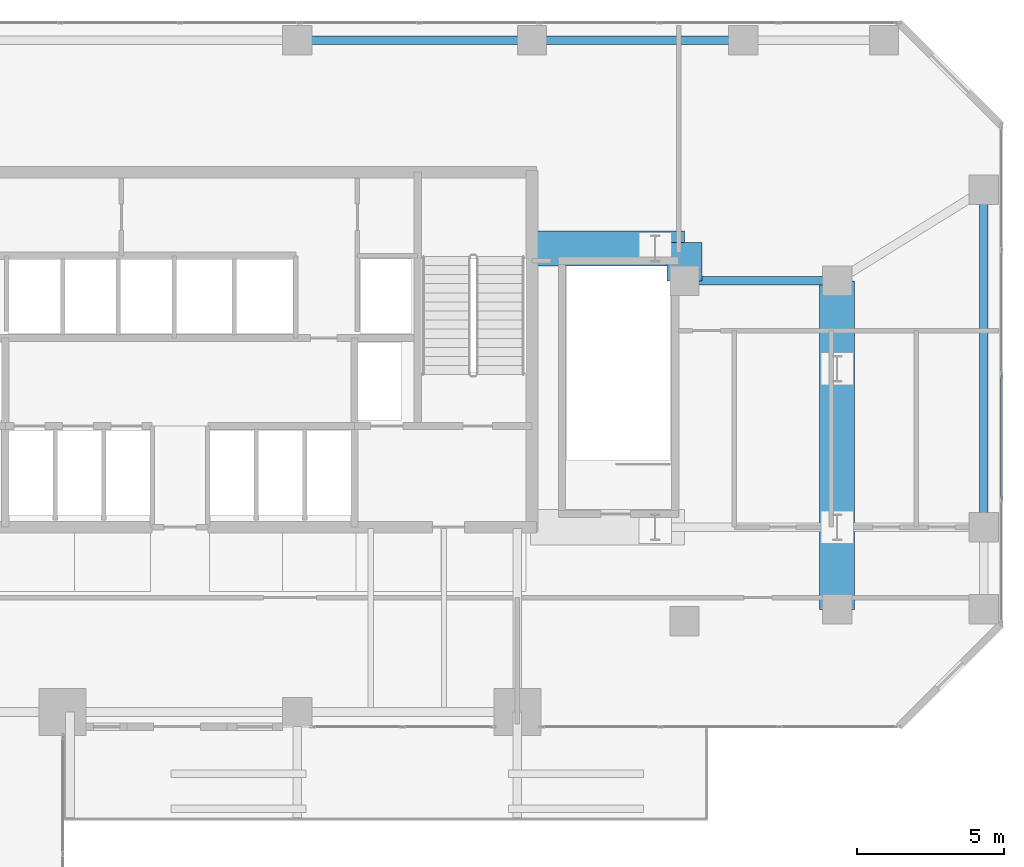
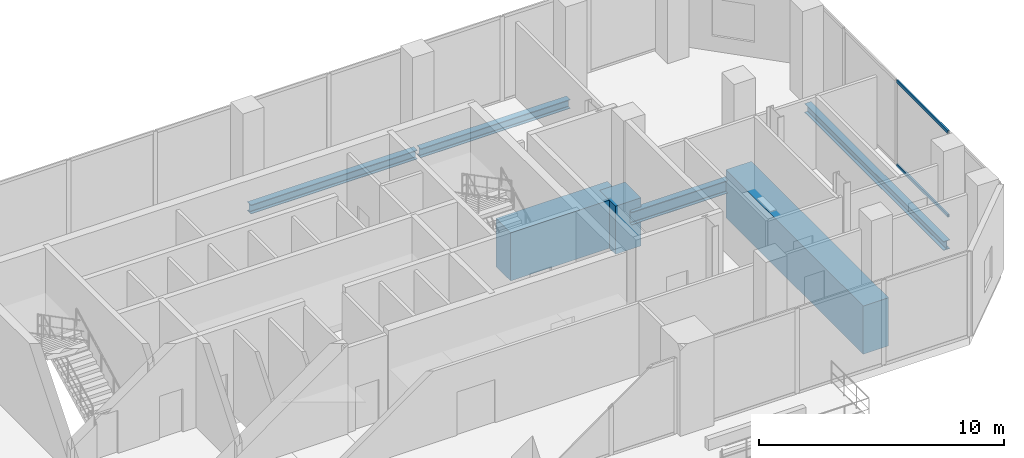
# One storey, part 17 of 24: 7 beams, 2 members, 1 element without a shape of its own.
"""IFC4 building model written with IfcOpenShell, lengths in metres."""

from ifc_helpers import new_model, si_unit, direction, frame, origin, origin_2d, place, context, subcontext, project, spatial, rectangle, hollow_rectangle, i_section, extrude, material, layer, layer_set, material_profile, profile_set, type_object, element, aggregate, save


model = new_model("IFC4")

# Units and contexts
model_context = context("Model", 3, precision=1e-05, world=origin(), true_north=direction((0.0, 1.0)))
body_context = subcontext(model_context, "Body", "Model", "MODEL_VIEW")
ifc_project = project(units=[si_unit("LENGTHUNIT", "METRE"), si_unit("AREAUNIT", "SQUARE_METRE"), si_unit("VOLUMEUNIT", "CUBIC_METRE"), si_unit("PLANEANGLEUNIT", "RADIAN"), si_unit("MASSUNIT", "GRAM", prefix="KILO")], contexts=[model_context])

# Site, building, storey
site_placement = place(None, origin())
site = spatial("IfcSite", under=ifc_project, at=site_placement, CompositionType="ELEMENT")
building_placement = place(site_placement, origin())
building = spatial("IfcBuilding", under=site, at=building_placement, Name="Catumbela Crestline Tower", CompositionType="ELEMENT")
storey_placement = place(building_placement, frame((0.0, 0.0, 21.3)))
storey = spatial("IfcBuildingStorey", under=building, at=storey_placement, Name="L04", CompositionType="ELEMENT", Elevation=21.3)

# Beams
ifc_material_1 = material(Name="Structural steel S355J2", Category="steel")
ifc_material_profile_1 = material_profile(ifc_material_1, i_section(OverallWidth=0.3, OverallDepth=0.64, WebThickness=0.0135, FlangeThickness=0.026, FilletRadius=0.027, at=origin_2d()), Name="HEA 650")
ifc_profile_set_1 = profile_set([ifc_material_profile_1], Name="Structural steel S355J2")
beam_type_1 = type_object("IfcBeamType", Name="BG-HEA650", PredefinedType="BEAM", material=ifc_profile_set_1)
beam_1_placement = place(storey_placement, frame((45.28, 39.2, -0.77), z_axis=(1.0, 0.0, 0.0), x_axis=(0.0, 1.0, 0.0)))
element("IfcBeam", 1, at=beam_1_placement, inside=storey, type_object=beam_type_1, Name="L04 Beam BM-L04-N16", PredefinedType="BEAM", context=body_context, shape_type="SweptSolid", body=[
    extrude(i_section(OverallWidth=0.3, OverallDepth=0.64, WebThickness=0.0135, FlangeThickness=0.026, FilletRadius=0.027, at=origin_2d()), origin(), (0.0, 0.0, 1.0), 5.04),
])
ifc_material_2 = material(Name="Concrete C60/75", Category="concrete")
ifc_material_profile_2 = material_profile(ifc_material_2, rectangle(XDim=1.2, YDim=2.4, at=origin_2d()), Name="RC 1200x2400")
ifc_profile_set_2 = profile_set([ifc_material_profile_2], Name="Concrete C60/75")
beam_type_2 = type_object("IfcBeamType", Name="TG-2400", PredefinedType="BEAM", material=ifc_profile_set_2)
beam_2_placement = place(storey_placement, frame((39.95, 40.3, -1.2), z_axis=(1.0, 0.0, 0.0), x_axis=(0.0, 1.0, 0.0)))
element("IfcBeam", 2, at=beam_2_placement, inside=storey, type_object=beam_type_2, Name="L04 Transfer Girder TG-L04-ES1B", PredefinedType="BEAM", context=body_context, shape_type="SweptSolid", body=[
    extrude(rectangle(XDim=1.2, YDim=2.4, at=origin_2d()), origin(), (0.0, 0.0, 1.0), 5.25),
])
beam_3_placement = place(storey_placement, frame((45.2, 39.2, -1.2), z_axis=(0.0, 1.0, 0.0), x_axis=(-1.0, 0.0, 0.0)))
element("IfcBeam", 3, at=beam_3_placement, inside=storey, type_object=beam_type_2, Name="L04 Transfer Girder TG-L04-ES1C", PredefinedType="BEAM", context=body_context, shape_type="SweptSolid", body=[
    extrude(rectangle(XDim=1.2, YDim=2.4, at=origin_2d()), origin(), (0.0, 0.0, 1.0), 1.3),
])
beam_4_placement = place(storey_placement, frame((50.4, 28.0, -1.2), z_axis=(0.0, 1.0, 0.0), x_axis=(-1.0, 0.0, 0.0)))
element("IfcBeam", 4, at=beam_4_placement, inside=storey, type_object=beam_type_2, Name="L04 Transfer Girder TG-L04-ES2", PredefinedType="BEAM", context=body_context, shape_type="SweptSolid", body=[
    extrude(rectangle(XDim=1.2, YDim=2.4, at=origin_2d()), origin(), (0.0, 0.0, 1.0), 11.2),
])
ifc_material_profile_3 = material_profile(ifc_material_1, i_section(OverallWidth=0.3, OverallDepth=0.45, WebThickness=0.014, FlangeThickness=0.026, FilletRadius=0.027, at=origin_2d()), Name="HEB 450")
ifc_profile_set_3 = profile_set([ifc_material_profile_3], Name="Structural steel S355J2")
beam_type_3 = type_object("IfcBeamType", Name="BS-HEB450", PredefinedType="SPANDREL", material=ifc_profile_set_3)
beam_5_placement = place(storey_placement, frame((32.08, 47.4, -0.675), z_axis=(1.0, 0.0, 0.0), x_axis=(0.0, 1.0, 0.0)))
element("IfcBeam", 5, at=beam_5_placement, inside=storey, type_object=beam_type_3, Name="L04 Spandrel SP-L04-NF21", PredefinedType="SPANDREL", context=body_context, shape_type="SweptSolid", body=[
    extrude(i_section(OverallWidth=0.3, OverallDepth=0.45, WebThickness=0.014, FlangeThickness=0.026, FilletRadius=0.027, at=origin_2d()), origin(), (0.0, 0.0, 1.0), 7.84),
])
beam_6_placement = place(storey_placement, frame((40.08, 47.4, -0.675), z_axis=(1.0, 0.0, 0.0), x_axis=(0.0, 1.0, 0.0)))
element("IfcBeam", 6, at=beam_6_placement, inside=storey, type_object=beam_type_3, Name="L04 Spandrel SP-L04-NF22", PredefinedType="SPANDREL", context=body_context, shape_type="SweptSolid", body=[
    extrude(i_section(OverallWidth=0.3, OverallDepth=0.45, WebThickness=0.014, FlangeThickness=0.026, FilletRadius=0.027, at=origin_2d()), origin(), (0.0, 0.0, 1.0), 7.04),
])
beam_7_placement = place(storey_placement, frame((55.4, 30.88, -0.675), z_axis=(0.0, 1.0, 0.0), x_axis=(-1.0, 0.0, 0.0)))
element("IfcBeam", 7, at=beam_7_placement, inside=storey, type_object=beam_type_3, Name="L04 Spandrel SP-L04-SN36", PredefinedType="SPANDREL", context=body_context, shape_type="SweptSolid", body=[
    extrude(i_section(OverallWidth=0.3, OverallDepth=0.45, WebThickness=0.014, FlangeThickness=0.026, FilletRadius=0.027, at=origin_2d()), origin(), (0.0, 0.0, 1.0), 11.34),
])

# Curtain wall, members
ifc_material_3 = material(Name="Aluminium alloy AW-6060-T66", Category="aluminium")
ifc_layer = layer(ifc_material_3, 0.18, Name="Aluminium alloy AW-6060-T66")
ifc_layer_set = layer_set([ifc_layer], Name="Aluminium alloy AW-6060-T66")
curtain_wall_type = type_object("IfcCurtainWallType", Name="CWS-POD", PredefinedType="USERDEFINED", material=ifc_layer_set)
curtain_wall_placement = place(storey_placement, origin())
curtain_wall = element("IfcCurtainWall", 8, at=curtain_wall_placement, inside=storey, type_object=curtain_wall_type, Name="L04 Stick Curtain Wall CW-L04-E5S1", ObjectType="STICK", PredefinedType="USERDEFINED")
ifc_material_profile_4 = material_profile(ifc_material_3, hollow_rectangle(XDim=0.075, YDim=0.15, WallThickness=0.0045, at=origin_2d()), Name="ALU 150x75x4.5")
ifc_profile_set_4 = profile_set([ifc_material_profile_4], Name="Aluminium alloy AW-6060-T66")
member_type = type_object("IfcMemberType", Name="TRN-150X75", PredefinedType="USERDEFINED", material=ifc_profile_set_4)
member_1_placement = place(storey_placement, frame((56.0, 31.7825, 0.03), z_axis=(0.0, 1.0, 0.0), x_axis=(-1.0, 0.0, 0.0)))
member_1 = element("IfcMember", 9, at=member_1_placement, type_object=member_type, Name="CWS-POD transom 2.1", ObjectType="TRANSOM", PredefinedType="USERDEFINED", context=body_context, shape_type="SweptSolid", body=[
    extrude(hollow_rectangle(XDim=0.075, YDim=0.15, WallThickness=0.0045, at=origin_2d()), origin(), (0.0, 0.0, 1.0), 4.185),
])
member_2_placement = place(storey_placement, frame((56.0, 31.7825, 4.2), z_axis=(0.0, 1.0, 0.0), x_axis=(-1.0, 0.0, 0.0)))
member_2 = element("IfcMember", 10, at=member_2_placement, type_object=member_type, Name="CWS-POD transom 2.2", ObjectType="TRANSOM", PredefinedType="USERDEFINED", context=body_context, shape_type="SweptSolid", body=[
    extrude(hollow_rectangle(XDim=0.075, YDim=0.15, WallThickness=0.0045, at=origin_2d()), origin(), (0.0, 0.0, 1.0), 4.185),
])
aggregate(curtain_wall, [member_1, member_2])

save(model, "model.ifc")
